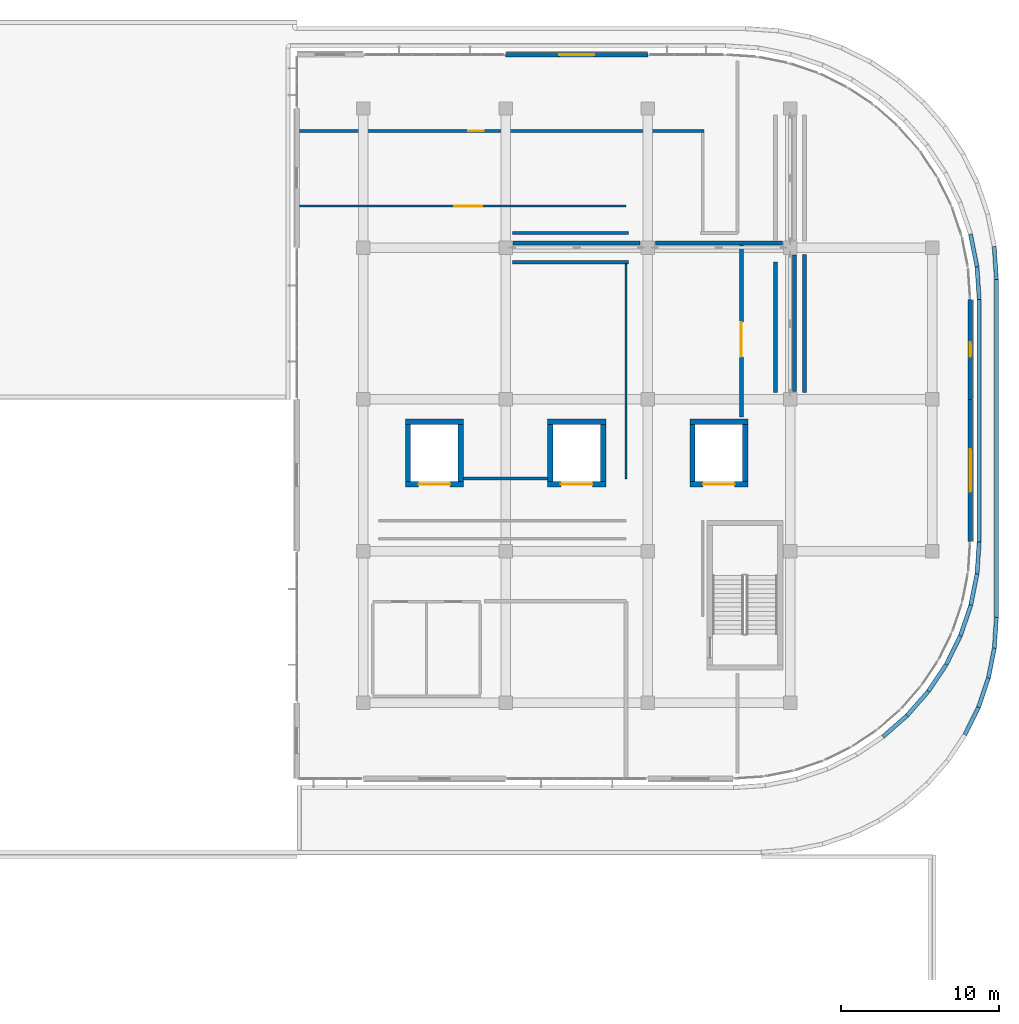
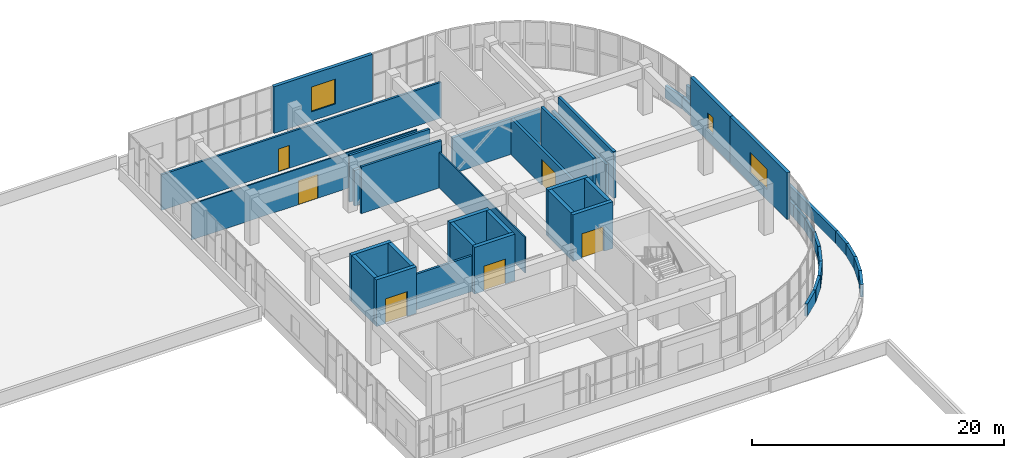
# One storey, part 51 of 67: 43 walls, 6 doors, 3 windows, 9 openings.
"""IFC4 building model written with IfcOpenShell, lengths in metres."""

from ifc_helpers import new_model, si_unit, direction, frame, frame_2d, origin, place, context, subcontext, project, spatial, rectangle, extrude, material, layer, layer_set, type_object, element, fill, save


model = new_model("IFC4")

# Units and contexts
model_context = context("Model", 3, precision=1e-05, world=origin(), true_north=direction((0.0, 1.0)))
body_context = subcontext(model_context, "Body", "Model", "MODEL_VIEW")
ifc_project = project(units=[si_unit("LENGTHUNIT", "METRE"), si_unit("AREAUNIT", "SQUARE_METRE"), si_unit("VOLUMEUNIT", "CUBIC_METRE"), si_unit("PLANEANGLEUNIT", "RADIAN"), si_unit("MASSUNIT", "GRAM", prefix="KILO")], contexts=[model_context])

# Site, building, storey
site_placement = place(None, origin())
site = spatial("IfcSite", under=ifc_project, at=site_placement, CompositionType="ELEMENT")
building_placement = place(site_placement, origin())
building = spatial("IfcBuilding", under=site, at=building_placement, Name="Cendralis Terraced Arcade", CompositionType="ELEMENT")
storey_placement = place(building_placement, frame((0.0, 0.0, 15.0)))
storey = spatial("IfcBuildingStorey", under=building, at=storey_placement, Name="L03", CompositionType="ELEMENT", Elevation=15.0)

# Walls
ifc_material_1 = material(Name="Gypsum plasterboard acoustic partition", Category="concrete")
ifc_layer_1 = layer(ifc_material_1, 0.199951171875, Name="WL-ACOU-200")
ifc_layer_set_1 = layer_set([ifc_layer_1], Name="Gypsum plasterboard acoustic partition")
wall_type_1 = type_object("IfcWallType", Name="WL-ACOU-200", PredefinedType="PARTITIONING", material=ifc_layer_set_1)
wall_1_placement = place(storey_placement, frame((141.860107421875, 83.780029296875, 0.0), z_axis=(0.0, 0.0, 1.0), x_axis=(-1.0, 0.0, 0.0)))
element("IfcWall", 1, at=wall_1_placement, inside=storey, type_object=wall_type_1, Name="Interior Partition Wall IW-L03-0566", PredefinedType="PARTITIONING", context=body_context, shape_type="SweptSolid", body=[
    extrude(rectangle(XDim=5.320068359375, YDim=0.199951171875, at=frame_2d((2.66015625, 0.0))), origin(), (0.0, 0.0, 1.0), 3.4599609375),
])
ifc_layer_2 = layer(ifc_material_1, 0.205078125, Name="WL-ACOU-205")
ifc_layer_set_2 = layer_set([ifc_layer_2], Name="Gypsum plasterboard acoustic partition")
wall_type_2 = type_object("IfcWallType", Name="WL-ACOU-205", PredefinedType="PARTITIONING", material=ifc_layer_set_2)
wall_2_placement = place(storey_placement, frame((146.98095703125, 99.320068359375, 0.0), z_axis=(0.0, 0.0, 1.0), x_axis=(-1.0, 0.0, 0.0)))
element("IfcWall", 2, at=wall_2_placement, inside=storey, type_object=wall_type_2, Name="Interior Partition Wall IW-L03-0565", PredefinedType="PARTITIONING", context=body_context, shape_type="SweptSolid", body=[
    extrude(rectangle(XDim=7.35595703125, YDim=0.205078125, at=frame_2d((3.677978515625, 0.0))), origin(), (0.0, 0.0, 1.0), 4.52001953125),
])
ifc_layer_3 = layer(ifc_material_1, 0.2099609375, Name="WL-ACOU-210")
ifc_layer_set_3 = layer_set([ifc_layer_3], Name="Gypsum plasterboard acoustic partition")
wall_type_3 = type_object("IfcWallType", Name="WL-ACOU-210", PredefinedType="PARTITIONING", material=ifc_layer_set_3)
wall_3_placement = place(storey_placement, frame((139.625, 97.47998046875, 0.0), z_axis=(0.0, 0.0, 1.0), x_axis=(1.0, 0.0, 0.0)))
element("IfcWall", 3, at=wall_3_placement, inside=storey, type_object=wall_type_3, Name="Interior Partition Wall IW-L03-0564", PredefinedType="PARTITIONING", context=body_context, shape_type="SweptSolid", body=[
    extrude(rectangle(XDim=7.35595703125, YDim=0.2099609375, at=frame_2d((3.677978515625, 0.0))), origin(), (0.0, 0.0, 1.0), 4.52001953125),
])

# Wall, opening, door
ifc_material_2 = material(Name="Concrete f'c 42 MPa", Category="concrete")
ifc_layer_4 = layer(ifc_material_2, 0.340087890625, Name="WL-CORE-340")
ifc_layer_set_4 = layer_set([ifc_layer_4], Name="Concrete f'c 42 MPa")
wall_type_4 = type_object("IfcWallType", Name="WL-CORE-340", PredefinedType="SHEAR", material=ifc_layer_set_4)
wall_4_placement = place(storey_placement, frame((132.860107421875, 83.429931640625, 0.0), z_axis=(0.0, 0.0, 1.0), x_axis=(1.0, 0.0, 0.0)))
wall_4 = element("IfcWall", 4, at=wall_4_placement, inside=storey, type_object=wall_type_4, Name="Lift GL-01 Reinforced Concrete Shaft Wall (L03)", PredefinedType="SHEAR", context=body_context, shape_type="SweptSolid", body=[
    extrude(rectangle(XDim=3.679931640625, YDim=0.340087890625, at=frame_2d((1.83984375, 0.0))), origin(), (0.0, 0.0, 1.0), 4.52001953125),
])
opening_1_placement = place(wall_4_placement, frame((0.840087890625, 0.0, 0.0)))
opening_1 = element("IfcOpeningElement", 5, at=opening_1_placement, cuts=wall_4, Name="Opening LD-GL-01-L03", PredefinedType="OPENING", context=body_context, shape_type="SweptSolid", body=[
    extrude(rectangle(XDim=2.0, YDim=2.39990234375, at=frame_2d((1.0, 1.199951171875))), frame((0.0, 0.18212890625, 0.0), z_axis=(0.0, -1.0, 0.0), x_axis=(1.0, 0.0, 0.0)), (0.0, 0.0, 1.0), 0.364013671875),
])
ifc_material_3 = material(Name="Anodised aluminium sliding door assembly", Category="aluminium")
door_type_1 = type_object("IfcDoorType", Name="ID-LD-GD-2000x2400", OperationType="DOUBLE_DOOR_SLIDING", PredefinedType="DOOR", material=ifc_material_3)
door_1_placement = place(opening_1_placement, origin())
door_1 = element("IfcDoor", 6, at=door_1_placement, inside=storey, type_object=door_type_1, Name="Lift GL-01 Sliding Landing Door (L03)", OperationType="DOUBLE_DOOR_SLIDING", OverallHeight=2.39990234375, OverallWidth=2.0, PredefinedType="DOOR", context=body_context, shape_type="SweptSolid", body=[
    extrude(rectangle(XDim=2.0, YDim=2.39990234375, at=frame_2d((1.0, 1.199951171875))), frame((0.0, 0.02490234375, 0.0), z_axis=(0.0, -1.0, 0.0), x_axis=(1.0, 0.0, 0.0)), (0.0, 0.0, 1.0), 0.050048828125),
])
fill(opening_1, door_1)

# Walls
wall_5_placement = place(storey_placement, frame((132.860107421875, 87.3701171875, 0.0), z_axis=(0.0, 0.0, 1.0), x_axis=(1.0, 0.0, 0.0)))
element("IfcWall", 7, at=wall_5_placement, inside=storey, type_object=wall_type_4, Name="Lift GL-01 Reinforced Concrete Shaft Wall (L03)", PredefinedType="SHEAR", context=body_context, shape_type="SweptSolid", body=[
    extrude(rectangle(XDim=3.679931640625, YDim=0.340087890625, at=frame_2d((1.83984375, 0.0))), origin(), (0.0, 0.0, 1.0), 4.52001953125),
])
for number, where, z_axis, x_axis, name in (
    (8, (133.030029296875, 83.60009765625, 0.0), (0.0, 0.0, 1.0), (0.0, 1.0, 0.0), "Lift GL-01 Reinforced Concrete Shaft Wall (L03)"),
    (9, (136.3701171875, 83.60009765625, 0.0), (0.0, 0.0, 1.0), (0.0, 1.0, 0.0), "Lift GL-01 Reinforced Concrete Shaft Wall (L03)"),
):
    element("IfcWall", number, at=place(storey_placement, frame(where, z_axis=z_axis, x_axis=x_axis)), inside=storey, type_object=wall_type_4, Name=name, PredefinedType="SHEAR", context=body_context, shape_type="SweptSolid", body=[
        extrude(rectangle(XDim=3.599853515625, YDim=0.340087890625, at=frame_2d((1.7998046875, 0.0))), origin(), (0.0, 0.0, 1.0), 4.52001953125),
    ])

# Wall, opening, door
wall_6_placement = place(storey_placement, frame((141.860107421875, 83.429931640625, 0.0), z_axis=(0.0, 0.0, 1.0), x_axis=(1.0, 0.0, 0.0)))
wall_6 = element("IfcWall", 10, at=wall_6_placement, inside=storey, type_object=wall_type_4, Name="Lift GL-02 Reinforced Concrete Shaft Wall (L03)", PredefinedType="SHEAR", context=body_context, shape_type="SweptSolid", body=[
    extrude(rectangle(XDim=3.679931640625, YDim=0.340087890625, at=frame_2d((1.83984375, 0.0))), origin(), (0.0, 0.0, 1.0), 4.52001953125),
])
opening_2_placement = place(wall_6_placement, frame((0.840087890625, 0.0, 0.0)))
opening_2 = element("IfcOpeningElement", 11, at=opening_2_placement, cuts=wall_6, Name="Opening LD-GL-02-L03", PredefinedType="OPENING", context=body_context, shape_type="SweptSolid", body=[
    extrude(rectangle(XDim=2.0, YDim=2.39990234375, at=frame_2d((1.0, 1.199951171875))), frame((0.0, 0.18212890625, 0.0), z_axis=(0.0, -1.0, 0.0), x_axis=(1.0, 0.0, 0.0)), (0.0, 0.0, 1.0), 0.364013671875),
])
door_2_placement = place(opening_2_placement, origin())
door_2 = element("IfcDoor", 12, at=door_2_placement, inside=storey, type_object=door_type_1, Name="Lift GL-02 Sliding Landing Door (L03)", OperationType="DOUBLE_DOOR_SLIDING", OverallHeight=2.39990234375, OverallWidth=2.0, PredefinedType="DOOR", context=body_context, shape_type="SweptSolid", body=[
    extrude(rectangle(XDim=2.0, YDim=2.39990234375, at=frame_2d((1.0, 1.199951171875))), frame((0.0, 0.02490234375, 0.0), z_axis=(0.0, -1.0, 0.0), x_axis=(1.0, 0.0, 0.0)), (0.0, 0.0, 1.0), 0.050048828125),
])
fill(opening_2, door_2)

# Walls
wall_7_placement = place(storey_placement, frame((141.860107421875, 87.3701171875, 0.0), z_axis=(0.0, 0.0, 1.0), x_axis=(1.0, 0.0, 0.0)))
element("IfcWall", 13, at=wall_7_placement, inside=storey, type_object=wall_type_4, Name="Lift GL-02 Reinforced Concrete Shaft Wall (L03)", PredefinedType="SHEAR", context=body_context, shape_type="SweptSolid", body=[
    extrude(rectangle(XDim=3.679931640625, YDim=0.340087890625, at=frame_2d((1.83984375, 0.0))), origin(), (0.0, 0.0, 1.0), 4.52001953125),
])
for number, where, z_axis, x_axis, name in (
    (14, (142.030029296875, 83.60009765625, 0.0), (0.0, 0.0, 1.0), (0.0, 1.0, 0.0), "Lift GL-02 Reinforced Concrete Shaft Wall (L03)"),
    (15, (145.3701171875, 83.60009765625, 0.0), (0.0, 0.0, 1.0), (0.0, 1.0, 0.0), "Lift GL-02 Reinforced Concrete Shaft Wall (L03)"),
):
    element("IfcWall", number, at=place(storey_placement, frame(where, z_axis=z_axis, x_axis=x_axis)), inside=storey, type_object=wall_type_4, Name=name, PredefinedType="SHEAR", context=body_context, shape_type="SweptSolid", body=[
        extrude(rectangle(XDim=3.599853515625, YDim=0.340087890625, at=frame_2d((1.7998046875, 0.0))), origin(), (0.0, 0.0, 1.0), 4.52001953125),
    ])

# Wall, opening, door
wall_8_placement = place(storey_placement, frame((150.860107421875, 83.429931640625, 0.0), z_axis=(0.0, 0.0, 1.0), x_axis=(1.0, 0.0, 0.0)))
wall_8 = element("IfcWall", 16, at=wall_8_placement, inside=storey, type_object=wall_type_4, Name="Lift GL-03 Reinforced Concrete Shaft Wall (L03)", PredefinedType="SHEAR", context=body_context, shape_type="SweptSolid", body=[
    extrude(rectangle(XDim=3.679931640625, YDim=0.340087890625, at=frame_2d((1.83984375, 0.0))), origin(), (0.0, 0.0, 1.0), 4.52001953125),
])
opening_3_placement = place(wall_8_placement, frame((0.840087890625, 0.0, 0.0)))
opening_3 = element("IfcOpeningElement", 17, at=opening_3_placement, cuts=wall_8, Name="Opening LD-GL-03-L03", PredefinedType="OPENING", context=body_context, shape_type="SweptSolid", body=[
    extrude(rectangle(XDim=2.0, YDim=2.39990234375, at=frame_2d((1.0, 1.199951171875))), frame((0.0, 0.18212890625, 0.0), z_axis=(0.0, -1.0, 0.0), x_axis=(1.0, 0.0, 0.0)), (0.0, 0.0, 1.0), 0.364013671875),
])
door_3_placement = place(opening_3_placement, origin())
door_3 = element("IfcDoor", 18, at=door_3_placement, inside=storey, type_object=door_type_1, Name="Lift GL-03 Sliding Landing Door (L03)", OperationType="DOUBLE_DOOR_SLIDING", OverallHeight=2.39990234375, OverallWidth=2.0, PredefinedType="DOOR", context=body_context, shape_type="SweptSolid", body=[
    extrude(rectangle(XDim=2.0, YDim=2.39990234375, at=frame_2d((1.0, 1.199951171875))), frame((0.0, 0.02490234375, 0.0), z_axis=(0.0, -1.0, 0.0), x_axis=(1.0, 0.0, 0.0)), (0.0, 0.0, 1.0), 0.050048828125),
])
fill(opening_3, door_3)

# Walls
wall_9_placement = place(storey_placement, frame((150.860107421875, 87.3701171875, 0.0), z_axis=(0.0, 0.0, 1.0), x_axis=(1.0, 0.0, 0.0)))
element("IfcWall", 19, at=wall_9_placement, inside=storey, type_object=wall_type_4, Name="Lift GL-03 Reinforced Concrete Shaft Wall (L03)", PredefinedType="SHEAR", context=body_context, shape_type="SweptSolid", body=[
    extrude(rectangle(XDim=3.679931640625, YDim=0.340087890625, at=frame_2d((1.83984375, 0.0))), origin(), (0.0, 0.0, 1.0), 4.52001953125),
])
for number, where, z_axis, x_axis, name in (
    (20, (151.030029296875, 83.60009765625, 0.0), (0.0, 0.0, 1.0), (0.0, 1.0, 0.0), "Lift GL-03 Reinforced Concrete Shaft Wall (L03)"),
    (21, (154.3701171875, 83.60009765625, 0.0), (0.0, 0.0, 1.0), (0.0, 1.0, 0.0), "Lift GL-03 Reinforced Concrete Shaft Wall (L03)"),
):
    element("IfcWall", number, at=place(storey_placement, frame(where, z_axis=z_axis, x_axis=x_axis)), inside=storey, type_object=wall_type_4, Name=name, PredefinedType="SHEAR", context=body_context, shape_type="SweptSolid", body=[
        extrude(rectangle(XDim=3.599853515625, YDim=0.340087890625, at=frame_2d((1.7998046875, 0.0))), origin(), (0.0, 0.0, 1.0), 4.52001953125),
    ])

# Wall, opening, window
ifc_material_4 = material(Name="Precast concrete f'c 40 MPa", Category="concrete")
ifc_layer_5 = layer(ifc_material_4, 0.300048828125, Name="WL-EXT-GRC-300")
ifc_layer_set_5 = layer_set([ifc_layer_5], Name="Precast concrete f'c 40 MPa")
wall_type_5 = type_object("IfcWallType", Name="WL-EXT-GRC-300", PredefinedType="SOLIDWALL", material=ifc_layer_set_5)
wall_10_placement = place(storey_placement, frame((168.60009765625, 95.10009765625, 0.0), z_axis=(0.0, 0.0, 1.0), x_axis=(0.0, -1.0, 0.0)))
wall_10 = element("IfcWall", 22, at=wall_10_placement, inside=storey, type_object=wall_type_5, Name="Exterior Architectural Wall EW-L03-0230", PredefinedType="SOLIDWALL", context=body_context, shape_type="SweptSolid", body=[
    extrude(rectangle(XDim=6.300048828125, YDim=0.300048828125, at=frame_2d((3.14990234375, 0.0))), origin(), (0.0, 0.0, 1.0), 4.52001953125),
])
opening_4_placement = place(wall_10_placement, frame((2.699951171875, 0.0, 1.14990234375)))
opening_4 = element("IfcOpeningElement", 23, at=opening_4_placement, cuts=wall_10, Name="Opening W-24", PredefinedType="OPENING", context=body_context, shape_type="SweptSolid", body=[
    extrude(rectangle(XDim=0.89990234375, YDim=1.60009765625, at=frame_2d((0.449951171875, 0.800048828125))), frame((0.0, 0.162109375, 0.0), z_axis=(0.0, -1.0, 0.0), x_axis=(1.0, 0.0, 0.0)), (0.0, 0.0, 1.0), 0.323974609375),
])
ifc_material_5 = material(Name="Tempered solar control laminated glass", Category="glass")
window_type_1 = type_object("IfcWindowType", Name="WN-ST-0900x1600", PartitioningType="SINGLE_PANEL", PredefinedType="WINDOW", material=ifc_material_5)
window_1_placement = place(opening_4_placement, origin())
window_1 = element("IfcWindow", 24, at=window_1_placement, inside=storey, type_object=window_type_1, Name="Exterior Solar-Control Window WN-L03-0142", OverallHeight=1.60009765625, OverallWidth=0.89990234375, PartitioningType="SINGLE_PANEL", PredefinedType="WINDOW", context=body_context, shape_type="SweptSolid", body=[
    extrude(rectangle(XDim=0.89990234375, YDim=1.60009765625, at=frame_2d((0.449951171875, 0.800048828125))), frame((0.0, 0.030029296875, 0.0), z_axis=(0.0, -1.0, 0.0), x_axis=(1.0, 0.0, 0.0)), (0.0, 0.0, 1.0), 0.06005859375),
])
fill(opening_4, window_1)

wall_11_placement = place(storey_placement, frame((168.60009765625, 88.800048828125, 0.0), z_axis=(0.0, 0.0, 1.0), x_axis=(0.0, -1.0, 0.0)))
wall_11 = element("IfcWall", 25, at=wall_11_placement, inside=storey, type_object=wall_type_5, Name="Exterior Architectural Wall EW-L03-0231", PredefinedType="SOLIDWALL", context=body_context, shape_type="SweptSolid", body=[
    extrude(rectangle(XDim=9.0, YDim=0.300048828125, at=frame_2d((4.5, 0.0))), origin(), (0.0, 0.0, 1.0), 4.52001953125),
])
opening_5_placement = place(wall_11_placement, frame((3.14990234375, 0.0, 1.0)))
opening_5 = element("IfcOpeningElement", 26, at=opening_5_placement, cuts=wall_11, Name="Opening W-25", PredefinedType="OPENING", context=body_context, shape_type="SweptSolid", body=[
    extrude(rectangle(XDim=2.699951171875, YDim=2.0, at=frame_2d((1.35009765625, 1.0))), frame((0.0, 0.162109375, 0.0), z_axis=(0.0, -1.0, 0.0), x_axis=(1.0, 0.0, 0.0)), (0.0, 0.0, 1.0), 0.323974609375),
])
window_type_2 = type_object("IfcWindowType", Name="WN-F3-2700x2000", PartitioningType="SINGLE_PANEL", PredefinedType="WINDOW", material=ifc_material_5)
window_2_placement = place(opening_5_placement, origin())
window_2 = element("IfcWindow", 27, at=window_2_placement, inside=storey, type_object=window_type_2, Name="Exterior Solar-Control Window WN-L03-0143", OverallHeight=2.0, OverallWidth=2.699951171875, PartitioningType="SINGLE_PANEL", PredefinedType="WINDOW", context=body_context, shape_type="SweptSolid", body=[
    extrude(rectangle(XDim=2.699951171875, YDim=2.0, at=frame_2d((1.35009765625, 1.0))), frame((0.0, 0.030029296875, 0.0), z_axis=(0.0, -1.0, 0.0), x_axis=(1.0, 0.0, 0.0)), (0.0, 0.0, 1.0), 0.06005859375),
])
fill(opening_5, window_2)

wall_12_placement = place(storey_placement, frame((139.199951171875, 110.60009765625, 0.0), z_axis=(0.0, 0.0, 1.0), x_axis=(1.0, 0.0, 0.0)))
wall_12 = element("IfcWall", 28, at=wall_12_placement, inside=storey, type_object=wall_type_5, Name="Exterior Architectural Wall EW-L03-0238", PredefinedType="SOLIDWALL", context=body_context, shape_type="SweptSolid", body=[
    extrude(rectangle(XDim=9.0, YDim=0.300048828125, at=frame_2d((4.5, 0.0))), origin(), (0.0, 0.0, 1.0), 4.52001953125),
])
opening_6_placement = place(wall_12_placement, frame((3.39990234375, 0.0, 0.89990234375)))
opening_6 = element("IfcOpeningElement", 29, at=opening_6_placement, cuts=wall_12, Name="Opening W-02", PredefinedType="OPENING", context=body_context, shape_type="SweptSolid", body=[
    extrude(rectangle(XDim=2.199951171875, YDim=2.39990234375, at=frame_2d((1.10009765625, 1.199951171875))), frame((0.0, 0.162109375, 0.0), z_axis=(0.0, -1.0, 0.0), x_axis=(1.0, 0.0, 0.0)), (0.0, 0.0, 1.0), 0.323974609375),
])
window_type_3 = type_object("IfcWindowType", Name="WN-F1-2200x2400", PartitioningType="SINGLE_PANEL", PredefinedType="WINDOW", material=ifc_material_5)
window_3_placement = place(opening_6_placement, origin())
window_3 = element("IfcWindow", 30, at=window_3_placement, inside=storey, type_object=window_type_3, Name="Exterior Solar-Control Window WN-L03-0150", OverallHeight=2.39990234375, OverallWidth=2.199951171875, PartitioningType="SINGLE_PANEL", PredefinedType="WINDOW", context=body_context, shape_type="SweptSolid", body=[
    extrude(rectangle(XDim=2.199951171875, YDim=2.39990234375, at=frame_2d((1.10009765625, 1.199951171875))), frame((0.0, 0.030029296875, 0.0), z_axis=(0.0, -1.0, 0.0), x_axis=(1.0, 0.0, 0.0)), (0.0, 0.0, 1.0), 0.06005859375),
])
fill(opening_6, window_3)

# Wall, opening, door
ifc_material_6 = material(Name="Autoclaved aerated concrete blockwork", Category="masonry")
ifc_layer_6 = layer(ifc_material_6, 0.241943359375, Name="WL-FIRE-242")
ifc_layer_set_6 = layer_set([ifc_layer_6], Name="Autoclaved aerated concrete blockwork")
wall_type_6 = type_object("IfcWallType", Name="WL-FIRE-242", PredefinedType="PARTITIONING", material=ifc_layer_set_6)
wall_13_placement = place(storey_placement, frame((154.1201171875, 87.679931640625, 0.0), z_axis=(0.0, 0.0, 1.0), x_axis=(0.0, 1.0, 0.0)))
wall_13 = element("IfcWall", 31, at=wall_13_placement, inside=storey, type_object=wall_type_6, Name="Interior Partition Wall IW-L03-0572", PredefinedType="PARTITIONING", context=body_context, shape_type="SweptSolid", body=[
    extrude(rectangle(XDim=10.8701171875, YDim=0.241943359375, at=frame_2d((5.43505859375, 0.0))), origin(), (0.0, 0.0, 1.0), 3.4599609375),
])
opening_7_placement = place(wall_13_placement, frame((3.800048828125, 0.0, 0.0)))
opening_7 = element("IfcOpeningElement", 32, at=opening_7_placement, cuts=wall_13, Name="Opening D-L03-153", PredefinedType="OPENING", context=body_context, shape_type="SweptSolid", body=[
    extrude(rectangle(XDim=2.199951171875, YDim=2.5, at=frame_2d((1.10009765625, 1.25))), frame((0.0, 0.1328125, 0.0), z_axis=(0.0, -1.0, 0.0), x_axis=(1.0, 0.0, 0.0)), (0.0, 0.0, 1.0), 0.265869140625),
])
ifc_material_7 = material(Name="Galvanised fire-rated steel door assembly", Category="steel")
door_type_2 = type_object("IfcDoorType", Name="ID-STK-2200x2500", OperationType="DOUBLE_DOOR_SINGLE_SWING", PredefinedType="DOOR", material=ifc_material_7)
door_4_placement = place(opening_7_placement, origin())
door_4 = element("IfcDoor", 33, at=door_4_placement, inside=storey, type_object=door_type_2, Name="Central Stockrooms and Automated Picking - L03 Door D-L03-153", OperationType="DOUBLE_DOOR_SINGLE_SWING", OverallHeight=2.5, OverallWidth=2.199951171875, PredefinedType="DOOR", context=body_context, shape_type="SweptSolid", body=[
    extrude(rectangle(XDim=2.199951171875, YDim=2.5, at=frame_2d((1.10009765625, 1.25))), frame((0.0, 0.02490234375, 0.0), z_axis=(0.0, -1.0, 0.0), x_axis=(1.0, 0.0, 0.0)), (0.0, 0.0, 1.0), 0.050048828125),
])
fill(opening_7, door_4)

# Walls
wall_14_placement = place(storey_placement, frame((158.1201171875, 89.22509765625, 0.0), z_axis=(0.0, 0.0, 1.0), x_axis=(0.0, 1.0, 0.0)))
element("IfcWall", 34, at=wall_14_placement, inside=storey, type_object=wall_type_6, Name="Interior Partition Wall IW-L03-0573", PredefinedType="PARTITIONING", context=body_context, shape_type="SweptSolid", body=[
    extrude(rectangle(XDim=8.75, YDim=0.241943359375, at=frame_2d((4.375, 0.0))), origin(), (0.0, 0.0, 1.0), 4.52001953125),
])
wall_15_placement = place(storey_placement, frame((156.280029296875, 97.47998046875, 0.0), z_axis=(0.0, 0.0, 1.0), x_axis=(0.0, -1.0, 0.0)))
element("IfcWall", 35, at=wall_15_placement, inside=storey, type_object=wall_type_6, Name="Interior Partition Wall IW-L03-0574", PredefinedType="PARTITIONING", context=body_context, shape_type="SweptSolid", body=[
    extrude(rectangle(XDim=8.2548828125, YDim=0.241943359375, at=frame_2d((4.12744140625, 0.0))), origin(), (0.0, 0.0, 1.0), 4.52001953125),
])
ifc_layer_7 = layer(ifc_material_6, 0.260009765625, Name="WL-FIRE-260")
ifc_layer_set_7 = layer_set([ifc_layer_7], Name="Autoclaved aerated concrete blockwork")
wall_type_7 = type_object("IfcWallType", Name="WL-FIRE-260", PredefinedType="PARTITIONING", material=ifc_layer_set_7)
for number, where, z_axis, x_axis, name in (
    (36, (139.679931640625, 98.679931640625, 0.0), (0.0, 0.0, 1.0), (1.0, 0.0, 0.0), "Braced Bay Fire Enclosure Wall IW-BRC-L03-01"),
    (37, (148.679931640625, 98.679931640625, 0.0), (0.0, 0.0, 1.0), (1.0, 0.0, 0.0), "Braced Bay Fire Enclosure Wall IW-BRC-L03-02"),
):
    element("IfcWall", number, at=place(storey_placement, frame(where, z_axis=z_axis, x_axis=x_axis)), inside=storey, type_object=wall_type_7, Name=name, PredefinedType="PARTITIONING", context=body_context, shape_type="SweptSolid", body=[
        extrude(rectangle(XDim=8.0400390625, YDim=0.260009765625, at=frame_2d((4.02001953125, 0.0))), origin(), (0.0, 0.0, 1.0), 3.4599609375),
    ])
wall_16_placement = place(storey_placement, frame((157.47998046875, 89.280029296875, 0.0), z_axis=(0.0, 0.0, 1.0), x_axis=(0.0, 1.0, 0.0)))
element("IfcWall", 38, at=wall_16_placement, inside=storey, type_object=wall_type_7, Name="Braced Bay Fire Enclosure Wall IW-BRC-L03-03", PredefinedType="PARTITIONING", context=body_context, shape_type="SweptSolid", body=[
    extrude(rectangle(XDim=8.639892578125, YDim=0.260009765625, at=frame_2d((4.31982421875, 0.0))), origin(), (0.0, 0.0, 1.0), 3.4599609375),
])
ifc_layer_8 = layer(ifc_material_4, 0.25, Name="WL-PAR-250")
ifc_layer_set_8 = layer_set([ifc_layer_8], Name="Precast concrete f'c 40 MPa")
wall_type_8 = type_object("IfcWallType", Name="WL-PAR-250", PredefinedType="PARAPET", material=ifc_layer_set_8)
wall_17_placement = place(storey_placement, frame((163.083251953125, 67.456787109375, 0.0), z_axis=(0.0, 0.0, 1.0), x_axis=(0.751826475426, 0.659361017083, 0.0)))
element("IfcWall", 39, at=wall_17_placement, inside=storey, type_object=wall_type_8, Name="Precast Concrete Roof Parapet Wall PAR-L03-178", PredefinedType="PARAPET", context=body_context, shape_type="SweptSolid", body=[
    extrude(rectangle(XDim=2.017333984375, YDim=0.25, at=frame_2d((1.0087890625, 0.0))), origin(), (0.0, 0.0, 1.0), 1.199951171875),
])
wall_18_placement = place(storey_placement, frame((164.61328125, 68.80029296875, 0.0), z_axis=(0.0, 0.0, 1.0), x_axis=(0.659292598609, 0.751886473758, 0.0)))
element("IfcWall", 40, at=wall_18_placement, inside=storey, type_object=wall_type_8, Name="Precast Concrete Roof Parapet Wall PAR-L03-179", PredefinedType="PARAPET", context=body_context, shape_type="SweptSolid", body=[
    extrude(rectangle(XDim=2.01708984375, YDim=0.25, at=frame_2d((1.008544921875, 0.0))), origin(), (0.0, 0.0, 1.0), 1.199951171875),
])
wall_19_placement = place(storey_placement, frame((165.954833984375, 70.331787109375, 0.0), z_axis=(0.0, 0.0, 1.0), x_axis=(0.555593742386, 0.831453903366, 0.0)))
element("IfcWall", 41, at=wall_19_placement, inside=storey, type_object=wall_type_8, Name="Precast Concrete Roof Parapet Wall PAR-L03-180", PredefinedType="PARAPET", context=body_context, shape_type="SweptSolid", body=[
    extrude(rectangle(XDim=2.016845703125, YDim=0.25, at=frame_2d((1.00830078125, 0.0))), origin(), (0.0, 0.0, 1.0), 1.199951171875),
])
wall_20_placement = place(storey_placement, frame((167.0849609375, 72.025390625, 0.0), z_axis=(0.0, 0.0, 1.0), x_axis=(0.442268477568, 0.896882709026, 0.0)))
element("IfcWall", 42, at=wall_20_placement, inside=storey, type_object=wall_type_8, Name="Precast Concrete Roof Parapet Wall PAR-L03-181", PredefinedType="PARAPET", context=body_context, shape_type="SweptSolid", body=[
    extrude(rectangle(XDim=2.01708984375, YDim=0.25, at=frame_2d((1.008544921875, 0.0))), origin(), (0.0, 0.0, 1.0), 1.199951171875),
])
wall_21_placement = place(storey_placement, frame((167.984375, 73.85205078125, 0.0), z_axis=(0.0, 0.0, 1.0), x_axis=(0.321451389675, 0.946926081633, 0.0)))
element("IfcWall", 43, at=wall_21_placement, inside=storey, type_object=wall_type_8, Name="Precast Concrete Roof Parapet Wall PAR-L03-182", PredefinedType="PARAPET", context=body_context, shape_type="SweptSolid", body=[
    extrude(rectangle(XDim=2.017333984375, YDim=0.25, at=frame_2d((1.0087890625, 0.0))), origin(), (0.0, 0.0, 1.0), 1.199951171875),
])
wall_22_placement = place(storey_placement, frame((168.6376953125, 75.780517578125, 0.0), z_axis=(0.0, 0.0, 1.0), x_axis=(0.195115132196, 0.980780345025, 0.0)))
element("IfcWall", 44, at=wall_22_placement, inside=storey, type_object=wall_type_8, Name="Precast Concrete Roof Parapet Wall PAR-L03-183", PredefinedType="PARAPET", context=body_context, shape_type="SweptSolid", body=[
    extrude(rectangle(XDim=2.01708984375, YDim=0.25, at=frame_2d((1.008544921875, 0.0))), origin(), (0.0, 0.0, 1.0), 1.199951171875),
])
wall_23_placement = place(storey_placement, frame((169.03369140625, 77.777587890625, 0.0), z_axis=(0.0, 0.0, 1.0), x_axis=(0.065435231603, 0.997856818619, 0.0)))
element("IfcWall", 45, at=wall_23_placement, inside=storey, type_object=wall_type_8, Name="Precast Concrete Roof Parapet Wall PAR-L03-184", PredefinedType="PARAPET", context=body_context, shape_type="SweptSolid", body=[
    extrude(rectangle(XDim=2.003662109375, YDim=0.25, at=frame_2d((1.001953125, 0.0))), origin(), (0.0, 0.0, 1.0), 1.199951171875),
])
wall_24_placement = place(storey_placement, frame((169.1650390625, 79.786376953125, 0.0), z_axis=(0.0, 0.0, 1.0), x_axis=(0.0, 1.0, 0.0)))
element("IfcWall", 46, at=wall_24_placement, inside=storey, type_object=wall_type_8, Name="Precast Concrete Roof Parapet Wall PAR-L03-185", PredefinedType="PARAPET", context=body_context, shape_type="SweptSolid", body=[
    extrude(rectangle(XDim=15.327392578125, YDim=0.25, at=frame_2d((7.66357421875, 0.0))), origin(), (0.0, 0.0, 1.0), 1.199951171875),
])
wall_25_placement = place(storey_placement, frame((169.164794921875, 95.123291015625, 0.0), z_axis=(0.0, 0.0, 1.0), x_axis=(-0.065500668432, 0.997852525394, 0.0)))
element("IfcWall", 47, at=wall_25_placement, inside=storey, type_object=wall_type_8, Name="Precast Concrete Roof Parapet Wall PAR-L03-186", PredefinedType="PARAPET", context=body_context, shape_type="SweptSolid", body=[
    extrude(rectangle(XDim=2.068603515625, YDim=0.25, at=frame_2d((1.0341796875, 0.0))), origin(), (0.0, 0.0, 1.0), 1.199951171875),
])
wall_26_placement = place(storey_placement, frame((169.02685546875, 97.206298828125, 0.0), z_axis=(0.0, 0.0, 1.0), x_axis=(-0.195078947103, 0.980787542946, 0.0)))
element("IfcWall", 48, at=wall_26_placement, inside=storey, type_object=wall_type_8, Name="Precast Concrete Roof Parapet Wall PAR-L03-187", PredefinedType="PARAPET", context=body_context, shape_type="SweptSolid", body=[
    extrude(rectangle(XDim=2.08251953125, YDim=0.25, at=frame_2d((1.041259765625, 0.0))), origin(), (0.0, 0.0, 1.0), 1.199951171875),
])
wall_27_placement = place(storey_placement, frame((170.118408203125, 98.47900390625, 0.0), z_axis=(0.0, 0.0, 1.0), x_axis=(0.065435146508, -0.997856824199, 0.0)))
element("IfcWall", 49, at=wall_27_placement, inside=storey, type_object=wall_type_8, Name="Precast Concrete Roof Parapet Wall PAR-L03-271", PredefinedType="PARAPET", context=body_context, shape_type="SweptSolid", body=[
    extrude(rectangle(XDim=2.093017578125, YDim=0.25, at=frame_2d((1.04638671875, 0.0))), origin(), (0.0, 0.0, 1.0), 1.199951171875),
])
wall_28_placement = place(storey_placement, frame((170.2548828125, 96.39990234375, 0.0), z_axis=(0.0, 0.0, 1.0), x_axis=(0.0, -1.0, 0.0)))
element("IfcWall", 50, at=wall_28_placement, inside=storey, type_object=wall_type_8, Name="Precast Concrete Roof Parapet Wall PAR-L03-272", PredefinedType="PARAPET", context=body_context, shape_type="SweptSolid", body=[
    extrude(rectangle(XDim=21.39990234375, YDim=0.25, at=frame_2d((10.699951171875, 0.0))), origin(), (0.0, 0.0, 1.0), 1.199951171875),
])
wall_29_placement = place(storey_placement, frame((170.25537109375, 75.009521484375, 0.0), z_axis=(0.0, 0.0, 1.0), x_axis=(-0.065445428286, -0.997856149912, 0.0)))
element("IfcWall", 51, at=wall_29_placement, inside=storey, type_object=wall_type_8, Name="Precast Concrete Roof Parapet Wall PAR-L03-273", PredefinedType="PARAPET", context=body_context, shape_type="SweptSolid", body=[
    extrude(rectangle(XDim=1.962158203125, YDim=0.25, at=frame_2d((0.98095703125, 0.0))), origin(), (0.0, 0.0, 1.0), 1.199951171875),
])
wall_30_placement = place(storey_placement, frame((170.12939453125, 73.0703125, 0.0), z_axis=(0.0, 0.0, 1.0), x_axis=(-0.19511099609, -0.980781167848, 0.0)))
element("IfcWall", 52, at=wall_30_placement, inside=storey, type_object=wall_type_8, Name="Precast Concrete Roof Parapet Wall PAR-L03-274", PredefinedType="PARAPET", context=body_context, shape_type="SweptSolid", body=[
    extrude(rectangle(XDim=1.9619140625, YDim=0.25, at=frame_2d((0.98095703125, 0.0))), origin(), (0.0, 0.0, 1.0), 1.199951171875),
])
wall_31_placement = place(storey_placement, frame((169.751708984375, 71.164306640625, 0.0), z_axis=(0.0, 0.0, 1.0), x_axis=(-0.321523487965, -0.946901603487, 0.0)))
element("IfcWall", 53, at=wall_31_placement, inside=storey, type_object=wall_type_8, Name="Precast Concrete Roof Parapet Wall PAR-L03-275", PredefinedType="PARAPET", context=body_context, shape_type="SweptSolid", body=[
    extrude(rectangle(XDim=1.962158203125, YDim=0.25, at=frame_2d((0.98095703125, 0.0))), origin(), (0.0, 0.0, 1.0), 1.199951171875),
])
wall_32_placement = place(storey_placement, frame((169.128173828125, 69.32373046875, 0.0), z_axis=(0.0, 0.0, 1.0), x_axis=(-0.4422787716, -0.896877632786, 0.0)))
element("IfcWall", 54, at=wall_32_placement, inside=storey, type_object=wall_type_8, Name="Precast Concrete Roof Parapet Wall PAR-L03-276", PredefinedType="PARAPET", context=body_context, shape_type="SweptSolid", body=[
    extrude(rectangle(XDim=1.9619140625, YDim=0.25, at=frame_2d((0.98095703125, 0.0))), origin(), (0.0, 0.0, 1.0), 1.199951171875),
])
ifc_layer_9 = layer(ifc_material_1, 0.10791015625, Name="WL-PART-108")
ifc_layer_set_9 = layer_set([ifc_layer_9], Name="Gypsum plasterboard acoustic partition")
wall_type_9 = type_object("IfcWallType", Name="WL-PART-108", PredefinedType="PARTITIONING", material=ifc_layer_set_9)
wall_33_placement = place(storey_placement, frame((146.820068359375, 97.375, 0.0), z_axis=(0.0, 0.0, 1.0), x_axis=(0.0, -1.0, 0.0)))
element("IfcWall", 55, at=wall_33_placement, inside=storey, type_object=wall_type_9, Name="Interior Partition Wall IW-L03-0561", PredefinedType="PARTITIONING", context=body_context, shape_type="SweptSolid", body=[
    extrude(rectangle(XDim=13.594970703125, YDim=0.10791015625, at=frame_2d((6.79736328125, 0.0))), origin(), (0.0, 0.0, 1.0), 3.4599609375),
])

# Wall, opening, door
ifc_layer_10 = layer(ifc_material_1, 0.1220703125, Name="WL-PART-122")
ifc_layer_set_10 = layer_set([ifc_layer_10], Name="Gypsum plasterboard acoustic partition")
wall_type_10 = type_object("IfcWallType", Name="WL-PART-122", PredefinedType="PARTITIONING", material=ifc_layer_set_10)
wall_34_placement = place(storey_placement, frame((126.14990234375, 101.02001953125, 0.0), z_axis=(0.0, 0.0, 1.0), x_axis=(1.0, 0.0, 0.0)))
wall_34 = element("IfcWall", 56, at=wall_34_placement, inside=storey, type_object=wall_type_10, Name="Interior Partition Wall IW-L03-0557", PredefinedType="PARTITIONING", context=body_context, shape_type="SweptSolid", body=[
    extrude(rectangle(XDim=20.670166015625, YDim=0.1220703125, at=frame_2d((10.3349609375, 0.0))), origin(), (0.0, 0.0, 1.0), 3.4599609375),
])
opening_8_placement = place(wall_34_placement, frame((9.7900390625, 0.0, 0.0)))
opening_8 = element("IfcOpeningElement", 57, at=opening_8_placement, cuts=wall_34, Name="Opening D-L03-151", PredefinedType="OPENING", context=body_context, shape_type="SweptSolid", body=[
    extrude(rectangle(XDim=1.780029296875, YDim=2.320068359375, at=frame_2d((0.89013671875, 1.16015625))), frame((0.0, 0.072998046875, 0.0), z_axis=(0.0, -1.0, 0.0), x_axis=(1.0, 0.0, 0.0)), (0.0, 0.0, 1.0), 0.14599609375),
])
ifc_material_8 = material(Name="Solid core Andean oak veneer door leaf", Category="aluminium")
door_type_3 = type_object("IfcDoorType", Name="ID-DEP-1780x2320", OperationType="DOUBLE_DOOR_SINGLE_SWING", PredefinedType="DOOR", material=ifc_material_8)
door_5_placement = place(opening_8_placement, origin())
door_5 = element("IfcDoor", 58, at=door_5_placement, inside=storey, type_object=door_type_3, Name="Buying and Store Management Offices - L03 Door D-L03-151", OperationType="DOUBLE_DOOR_SINGLE_SWING", OverallHeight=2.320068359375, OverallWidth=1.780029296875, PredefinedType="DOOR", context=body_context, shape_type="SweptSolid", body=[
    extrude(rectangle(XDim=1.780029296875, YDim=2.320068359375, at=frame_2d((0.89013671875, 1.16015625))), frame((0.0, 0.02490234375, 0.0), z_axis=(0.0, -1.0, 0.0), x_axis=(1.0, 0.0, 0.0)), (0.0, 0.0, 1.0), 0.050048828125),
])
fill(opening_8, door_5)

ifc_layer_11 = layer(ifc_material_1, 0.18505859375, Name="WL-PART-185")
ifc_layer_set_11 = layer_set([ifc_layer_11], Name="Gypsum plasterboard acoustic partition")
wall_type_11 = type_object("IfcWallType", Name="WL-PART-185", PredefinedType="PARTITIONING", material=ifc_layer_set_11)
wall_35_placement = place(storey_placement, frame((151.77001953125, 105.780029296875, 0.0), z_axis=(0.0, 0.0, 1.0), x_axis=(-1.0, 0.0, 0.0)))
wall_35 = element("IfcWall", 59, at=wall_35_placement, inside=storey, type_object=wall_type_11, Name="Interior Partition Wall IW-L03-0568", PredefinedType="PARTITIONING", context=body_context, shape_type="SweptSolid", body=[
    extrude(rectangle(XDim=25.6201171875, YDim=0.18505859375, at=frame_2d((12.81005859375, 0.0))), origin(), (0.0, 0.0, 1.0), 3.4599609375),
])
opening_9_placement = place(wall_35_placement, frame((13.93994140625, 0.0, 0.0)))
opening_9 = element("IfcOpeningElement", 60, at=opening_9_placement, cuts=wall_35, Name="Opening D-L03-152", PredefinedType="OPENING", context=body_context, shape_type="SweptSolid", body=[
    extrude(rectangle(XDim=1.0, YDim=2.199951171875, at=frame_2d((0.5, 1.10009765625))), frame((0.0, 0.1044921875, 0.0), z_axis=(0.0, -1.0, 0.0), x_axis=(1.0, 0.0, 0.0)), (0.0, 0.0, 1.0), 0.208984375),
])
door_type_4 = type_object("IfcDoorType", Name="ID-RM-1000x2200", OperationType="NOTDEFINED", PredefinedType="DOOR", material=ifc_material_8)
door_6_placement = place(opening_9_placement, origin())
door_6 = element("IfcDoor", 61, at=door_6_placement, inside=storey, type_object=door_type_4, Name="Buying and Store Management Offices - L03 Door D-L03-152", OperationType="SINGLE_SWING_RIGHT", OverallHeight=2.199951171875, OverallWidth=1.0, PredefinedType="DOOR", context=body_context, shape_type="SweptSolid", body=[
    extrude(rectangle(XDim=1.0, YDim=2.199951171875, at=frame_2d((0.5, 1.10009765625))), frame((0.0, 0.02490234375, 0.0), z_axis=(0.0, -1.0, 0.0), x_axis=(1.0, 0.0, 0.0)), (0.0, 0.0, 1.0), 0.050048828125),
])
fill(opening_9, door_6)

save(model, "model.ifc")
